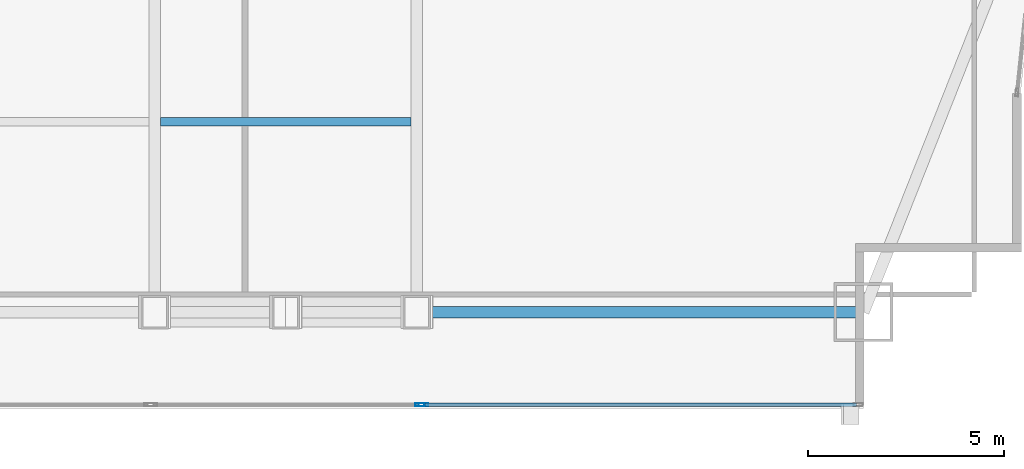
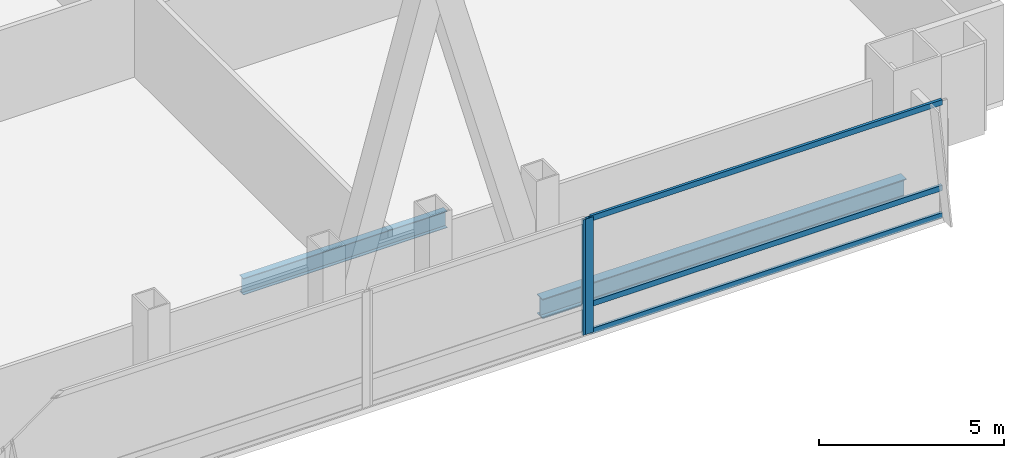
# One storey, part 16 of 32: 5 members, 2 beams, 2 elements without a shape of their own.
"""IFC4 building model written with IfcOpenShell, lengths in metres."""

from ifc_helpers import new_model, si_unit, direction, frame, origin, origin_2d, place, context, subcontext, project, spatial, hollow_rectangle, i_section, extrude, material, material_profile, profile_set, type_object, element, aggregate, save


model = new_model("IFC4")

# Units and contexts
model_context = context("Model", 3, precision=1e-05, world=origin(), true_north=direction((0.0, 1.0)))
body_context = subcontext(model_context, "Body", "Model", "MODEL_VIEW")
ifc_project = project(units=[si_unit("LENGTHUNIT", "METRE"), si_unit("AREAUNIT", "SQUARE_METRE"), si_unit("VOLUMEUNIT", "CUBIC_METRE"), si_unit("PLANEANGLEUNIT", "RADIAN"), si_unit("MASSUNIT", "GRAM", prefix="KILO")], contexts=[model_context])

# Site, building, storey
site_placement = place(None, origin())
site = spatial("IfcSite", under=ifc_project, at=site_placement, CompositionType="ELEMENT")
building_placement = place(site_placement, origin())
building = spatial("IfcBuilding", under=site, at=building_placement, Name="Khoronbel Lancet Exchange", CompositionType="ELEMENT")
storey_placement = place(building_placement, frame((0.0, 0.0, 94.60009765625)))
storey = spatial("IfcBuildingStorey", under=building, at=storey_placement, Name="L22", CompositionType="ELEMENT", Elevation=94.60009765625)

# Beams
ifc_material_1 = material(Name="Steel S355", Category="steel")
ifc_material_profile_1 = material_profile(ifc_material_1, i_section(OverallWidth=0.2099609375, OverallDepth=0.550048828125, WebThickness=0.010986328125, FlangeThickness=0.01708984375, at=origin_2d()), Name="IPE 550")
ifc_profile_set_1 = profile_set([ifc_material_profile_1], Name="Steel S355")
beam_type_1 = type_object("IfcBeamType", Name="BM-BJ2", PredefinedType="JOIST", material=ifc_profile_set_1)
beam_1_placement = place(storey_placement, frame((48.14990234375, 15.0, -0.455078125), z_axis=(1.0, 0.0, 0.0), x_axis=(0.0, 1.0, 0.0)))
element("IfcBeam", 1, at=beam_1_placement, inside=storey, type_object=beam_type_1, Name="Level L22 secondary composite joist J05", PredefinedType="JOIST", context=body_context, shape_type="SweptSolid", body=[
    extrude(i_section(OverallWidth=0.2099609375, OverallDepth=0.550048828125, WebThickness=0.010986328125, FlangeThickness=0.01708984375, at=origin_2d()), origin(), (0.0, 0.0, 1.0), 6.375),
])
ifc_material_profile_2 = material_profile(ifc_material_1, i_section(OverallWidth=0.300048828125, OverallDepth=0.64990234375, WebThickness=0.01611328125, FlangeThickness=0.031005859375, at=origin_2d()), Name="HEB 650")
ifc_profile_set_2 = profile_set([ifc_material_profile_2], Name="Steel S355")
beam_type_2 = type_object("IfcBeamType", Name="BM-BSP1", PredefinedType="SPANDREL", material=ifc_profile_set_2)
beam_2_placement = place(storey_placement, frame((54.675048828125, 10.14990234375, -0.505126953125), z_axis=(1.0, 0.0, 0.0), x_axis=(0.0, 1.0, 0.0)))
element("IfcBeam", 2, at=beam_2_placement, inside=storey, type_object=beam_type_2, Name="Level L22 perimeter spandrel beam SP09", PredefinedType="SPANDREL", context=body_context, shape_type="SweptSolid", body=[
    extrude(i_section(OverallWidth=0.300048828125, OverallDepth=0.64990234375, WebThickness=0.01611328125, FlangeThickness=0.031005859375, at=origin_2d()), origin(), (0.0, 0.0, 1.0), 11.375),
])

# Curtain wall, member
ifc_material_2 = material(Name="Low-E Solar Control Insulating Glass", Category="glass")
curtain_wall_type = type_object("IfcCurtainWallType", Name="CW-2", PredefinedType="NOTDEFINED", material=ifc_material_2)
curtain_wall_1_placement = place(storey_placement, origin())
curtain_wall_1 = element("IfcCurtainWall", 3, at=curtain_wall_1_placement, inside=storey, type_object=curtain_wall_type, Name="Unitised curtain wall CW-L22-SEB", PredefinedType="NOTDEFINED")
ifc_material_3 = material(Name="Bronze-Anodised Aluminium 6063-T6", Category="aluminium")
ifc_material_profile_3 = material_profile(ifc_material_3, hollow_rectangle(XDim=0.0849609375, YDim=0.239990234375, WallThickness=0.006103515625, at=origin_2d()), Name="ALU MULLION 85x240")
ifc_profile_set_3 = profile_set([ifc_material_profile_3], Name="Bronze-Anodised Aluminium 6063-T6")
member_type_1 = type_object("IfcMemberType", Name="MEM-CWM1", PredefinedType="MULLION", material=ifc_profile_set_3)
member_1_placement = place(storey_placement, frame((54.757568359375, 7.7900390625, 0.0), z_axis=(0.0, 0.0, 1.0), x_axis=(0.0, 1.0, 0.0)))
member_1 = element("IfcMember", 4, at=member_1_placement, type_object=member_type_1, Name="CW2 mullion 2", PredefinedType="MULLION", context=body_context, shape_type="SweptSolid", body=[
    extrude(hollow_rectangle(XDim=0.0849609375, YDim=0.239990234375, WallThickness=0.006103515625, at=origin_2d()), origin(), (0.0, 0.0, 1.0), 3.81982421875),
])
aggregate(curtain_wall_1, [member_1])

# Curtain wall, members
curtain_wall_2_placement = place(storey_placement, origin())
curtain_wall_2 = element("IfcCurtainWall", 5, at=curtain_wall_2_placement, inside=storey, type_object=curtain_wall_type, Name="Unitised curtain wall CW-L22-SEV", PredefinedType="NOTDEFINED")
member_2_placement = place(storey_placement, frame((54.842529296875, 7.7900390625, 0.0), z_axis=(0.0, 0.0, 1.0), x_axis=(0.0, 1.0, 0.0)))
member_2 = element("IfcMember", 6, at=member_2_placement, type_object=member_type_1, Name="CW2 mullion 1", PredefinedType="MULLION", context=body_context, shape_type="SweptSolid", body=[
    extrude(hollow_rectangle(XDim=0.0849609375, YDim=0.239990234375, WallThickness=0.006103515625, at=origin_2d()), origin(), (0.0, 0.0, 1.0), 3.81982421875),
])
ifc_material_profile_4 = material_profile(ifc_material_3, hollow_rectangle(XDim=0.0849609375, YDim=0.179931640625, WallThickness=0.0048828125, at=origin_2d()), Name="ALU TRANSOM 85x180")
ifc_profile_set_4 = profile_set([ifc_material_profile_4], Name="Bronze-Anodised Aluminium 6063-T6")
member_type_2 = type_object("IfcMemberType", Name="MEM-CWT1", PredefinedType="USERDEFINED", material=ifc_profile_set_4)
member_3_placement = place(storey_placement, frame((54.885009765625, 7.7900390625, 0.04248046875), z_axis=(1.0, 0.0, 0.0), x_axis=(0.0, 1.0, 0.0)))
member_3 = element("IfcMember", 7, at=member_3_placement, type_object=member_type_2, Name="CW2 transom 1.1", ObjectType="TRANSOM", PredefinedType="USERDEFINED", context=body_context, shape_type="SweptSolid", body=[
    extrude(hollow_rectangle(XDim=0.0849609375, YDim=0.179931640625, WallThickness=0.0048828125, at=origin_2d()), origin(), (0.0, 0.0, 1.0), 10.989990234375),
])
member_4_placement = place(storey_placement, frame((54.885009765625, 7.7900390625, 0.949951171875), z_axis=(1.0, 0.0, 0.0), x_axis=(0.0, 1.0, 0.0)))
member_4 = element("IfcMember", 8, at=member_4_placement, type_object=member_type_2, Name="CW2 transom 1.2", ObjectType="TRANSOM", PredefinedType="USERDEFINED", context=body_context, shape_type="SweptSolid", body=[
    extrude(hollow_rectangle(XDim=0.0849609375, YDim=0.179931640625, WallThickness=0.0048828125, at=origin_2d()), origin(), (0.0, 0.0, 1.0), 10.989990234375),
])
member_5_placement = place(storey_placement, frame((54.885009765625, 7.7900390625, 3.77734375), z_axis=(1.0, 0.0, 0.0), x_axis=(0.0, 1.0, 0.0)))
member_5 = element("IfcMember", 9, at=member_5_placement, type_object=member_type_2, Name="CW2 transom 1.3", ObjectType="TRANSOM", PredefinedType="USERDEFINED", context=body_context, shape_type="SweptSolid", body=[
    extrude(hollow_rectangle(XDim=0.0849609375, YDim=0.179931640625, WallThickness=0.0048828125, at=origin_2d()), origin(), (0.0, 0.0, 1.0), 10.989990234375),
])
aggregate(curtain_wall_2, [member_2, member_3, member_4, member_5])

save(model, "model.ifc")
